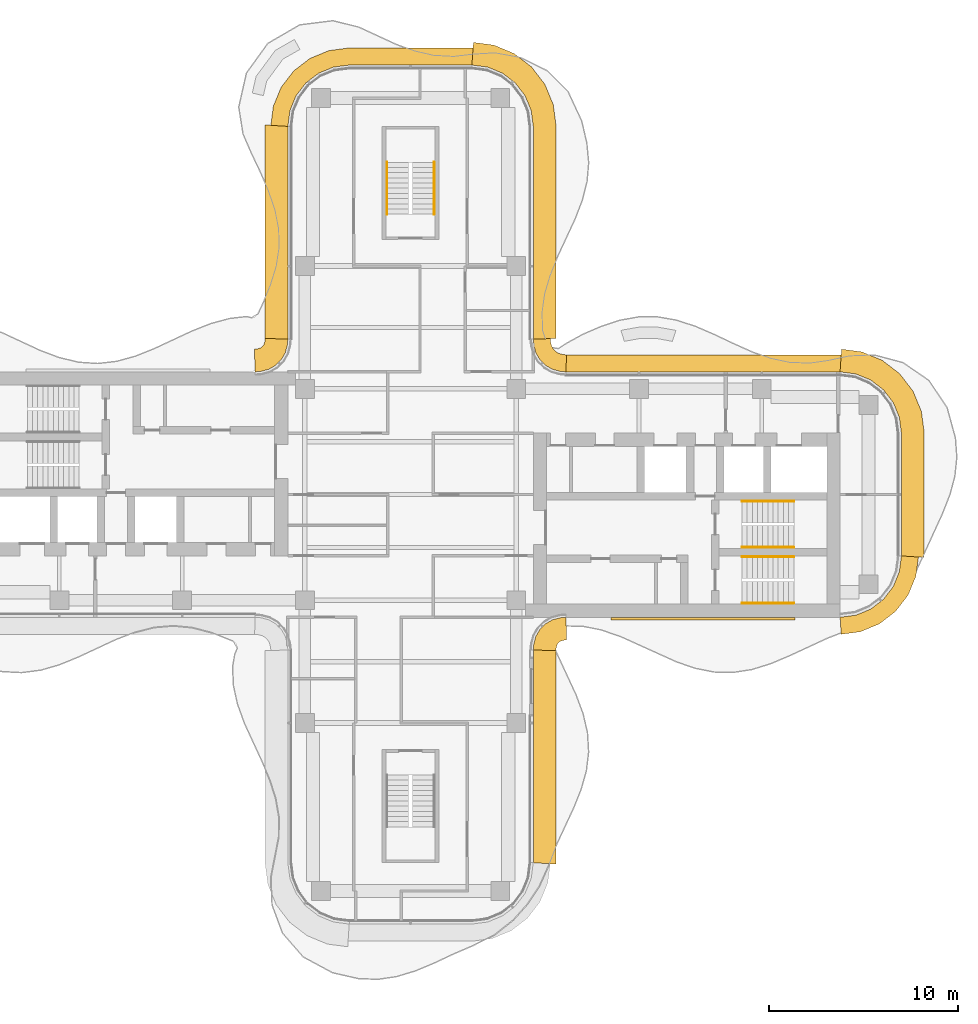
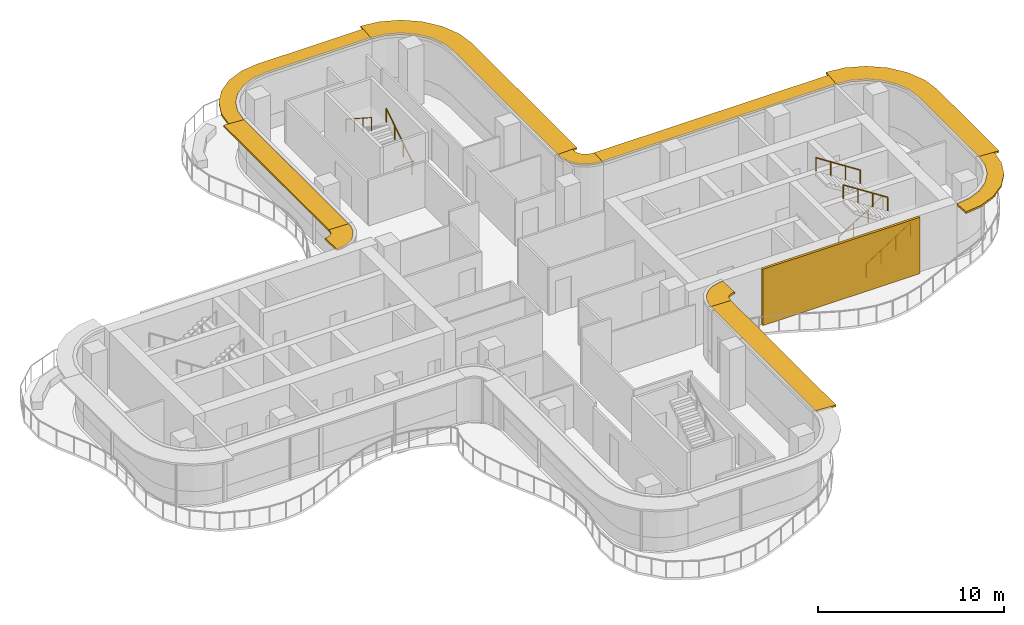
# One storey, part 17 of 17: 10 shading devices, 6 railings, 1 covering.
"""IFC4 building model written with IfcOpenShell, lengths in metres."""

from ifc_helpers import new_model, si_unit, direction, frame, origin, origin_2d, place, context, subcontext, project, spatial, polyline, circle, outline, extrude, source, transform, mapped, material, layer, layer_set, type_object, element, save


model = new_model("IFC4")

# Units and contexts
model_context = context("Model", 3, precision=1e-05, world=origin(), true_north=direction((0.0, 1.0)))
body_context = subcontext(model_context, "Body", "Model", "MODEL_VIEW")
ifc_project = project(units=[si_unit("LENGTHUNIT", "METRE"), si_unit("AREAUNIT", "SQUARE_METRE"), si_unit("VOLUMEUNIT", "CUBIC_METRE"), si_unit("PLANEANGLEUNIT", "RADIAN"), si_unit("MASSUNIT", "GRAM", prefix="KILO")], contexts=[model_context])

# Site, building, storey
site_placement = place(None, origin())
site = spatial("IfcSite", under=ifc_project, at=site_placement, CompositionType="ELEMENT")
building_placement = place(site_placement, origin())
building = spatial("IfcBuilding", under=site, at=building_placement, Name="Trellis Farm Tower", CompositionType="ELEMENT")
storey_placement = place(building_placement, frame((0.0, 0.0, 283.300048828125)))
storey = spatial("IfcBuildingStorey", under=building, at=storey_placement, Name="L63", CompositionType="ELEMENT", Elevation=283.300048828125)

# Railings
ifc_material_1 = material(Name="Stainless steel", Category="steel")
railing_type = type_object("IfcRailingType", Name="STAIR HANDRAIL 900", PredefinedType="HANDRAIL", material=ifc_material_1)
shared_shape_1 = source(origin(), body_context, "Body", "SweptSolid", [
    extrude(circle(Radius=0.02392578125, at=origin_2d()), frame((0.0, 0.0, 0.8759765625), z_axis=(0.0, 0.840503830235, 0.541805602924), x_axis=(-1.0, 0.0, 0.0)), (0.0, 0.0, 1.0), 3.271728515625),
    extrude(circle(Radius=0.02099609375, at=origin_2d()), origin(), (0.0, 0.0, 1.0), 0.851806640625),
    extrude(circle(Radius=0.02099609375, at=origin_2d()), frame((0.0, 0.916748046875, 0.5908203125)), (0.0, 0.0, 1.0), 0.851806640625),
    extrude(circle(Radius=0.02099609375, at=origin_2d()), frame((0.0, 1.833251953125, 1.181884765625)), (0.0, 0.0, 1.0), 0.851806640625),
    extrude(circle(Radius=0.02099609375, at=origin_2d()), frame((0.0, 2.75, 1.772705078125)), (0.0, 0.0, 1.0), 0.851806640625),
])
railing_1_placement = place(storey_placement, frame((1.25, 14.85009765625, 0.17724609375)))
element("IfcRailing", 1, at=railing_1_placement, inside=storey, type_object=railing_type, Name="Stair handrail", PredefinedType="HANDRAIL", context=body_context, shape_type="MappedRepresentation", body=[
    mapped(shared_shape_1, transform((0.0, 0.0, 0.0))),
])
shared_shape_2 = source(origin(), body_context, "Body", "SweptSolid", [
    extrude(circle(Radius=0.02392578125, at=origin_2d()), frame((0.0, 0.0, 0.8759765625), z_axis=(0.0, -0.840503830235, 0.541805602924), x_axis=(1.0, 0.0, 0.0)), (0.0, 0.0, 1.0), 3.271728515625),
    extrude(circle(Radius=0.02099609375, at=origin_2d()), origin(), (0.0, 0.0, 1.0), 0.851806640625),
    extrude(circle(Radius=0.02099609375, at=origin_2d()), frame((0.0, -0.916748046875, 0.5908203125)), (0.0, 0.0, 1.0), 0.851806640625),
    extrude(circle(Radius=0.02099609375, at=origin_2d()), frame((0.0, -1.833251953125, 1.181884765625)), (0.0, 0.0, 1.0), 0.851806640625),
    extrude(circle(Radius=0.02099609375, at=origin_2d()), frame((0.0, -2.75, 1.772705078125)), (0.0, 0.0, 1.0), 0.851806640625),
])
railing_2_placement = place(storey_placement, frame((-1.25, 17.60009765625, 2.127197265625)))
element("IfcRailing", 2, at=railing_2_placement, inside=storey, type_object=railing_type, Name="Stair handrail", PredefinedType="HANDRAIL", context=body_context, shape_type="MappedRepresentation", body=[
    mapped(shared_shape_2, transform((0.0, 0.0, 0.0))),
])
shared_shape_3 = source(origin(), body_context, "Body", "SweptSolid", [
    extrude(circle(Radius=0.02392578125, at=origin_2d()), frame((0.0, 0.0, 0.8759765625), z_axis=(0.840503830235, 0.0, 0.541805602924), x_axis=(0.0, 1.0, 0.0)), (0.0, 0.0, 1.0), 3.271728515625),
    extrude(circle(Radius=0.02099609375, at=origin_2d()), origin(), (0.0, 0.0, 1.0), 0.851806640625),
    extrude(circle(Radius=0.02099609375, at=origin_2d()), frame((0.916748046875, 0.0, 0.5908203125)), (0.0, 0.0, 1.0), 0.851806640625),
    extrude(circle(Radius=0.02099609375, at=origin_2d()), frame((1.833251953125, 0.0, 1.181884765625)), (0.0, 0.0, 1.0), 0.851806640625),
    extrude(circle(Radius=0.02099609375, at=origin_2d()), frame((2.75, 0.0, 1.772705078125)), (0.0, 0.0, 1.0), 0.851806640625),
])
for number, where, name in (
    (3, (17.550048828125, -5.75, 0.17724609375), "Stair handrail"),
    (4, (17.550048828125, -2.800048828125, 0.17724609375), "Stair handrail"),
):
    element("IfcRailing", number, at=place(storey_placement, frame(where)), inside=storey, type_object=railing_type, Name=name, PredefinedType="HANDRAIL", context=body_context, shape_type="MappedRepresentation", body=[
        mapped(shared_shape_3, transform((0.0, 0.0, 0.0))),
    ])
shared_shape_4 = source(origin(), body_context, "Body", "SweptSolid", [
    extrude(circle(Radius=0.02392578125, at=origin_2d()), frame((0.0, 0.0, 0.8759765625), z_axis=(-0.840503830235, 0.0, 0.541805602924), x_axis=(0.0, -1.0, 0.0)), (0.0, 0.0, 1.0), 3.271728515625),
    extrude(circle(Radius=0.02099609375, at=origin_2d()), origin(), (0.0, 0.0, 1.0), 0.851806640625),
    extrude(circle(Radius=0.02099609375, at=origin_2d()), frame((-0.916748046875, 0.0, 0.5908203125)), (0.0, 0.0, 1.0), 0.851806640625),
    extrude(circle(Radius=0.02099609375, at=origin_2d()), frame((-1.833251953125, 0.0, 1.181884765625)), (0.0, 0.0, 1.0), 0.851806640625),
    extrude(circle(Radius=0.02099609375, at=origin_2d()), frame((-2.75, 0.0, 1.772705078125)), (0.0, 0.0, 1.0), 0.851806640625),
])
for number, where, name in (
    (5, (20.300048828125, -3.300048828125, 2.127197265625), "Stair handrail"),
    (6, (20.300048828125, -0.35009765625, 2.127197265625), "Stair handrail"),
):
    element("IfcRailing", number, at=place(storey_placement, frame(where)), inside=storey, type_object=railing_type, Name=name, PredefinedType="HANDRAIL", context=body_context, shape_type="MappedRepresentation", body=[
        mapped(shared_shape_4, transform((0.0, 0.0, 0.0))),
    ])

# Shading devices
ifc_material_2 = material(Name="Aluminium extrusion 6063-T6", Category="aluminium")
ifc_layer_1 = layer(ifc_material_2, 0.1201171875)
ifc_layer_set_1 = layer_set([ifc_layer_1], Name="SUNSHADE BLADE 1200")
shading_device_type_1 = type_object("IfcShadingDeviceType", Name="SUNSHADE BLADE 1200", PredefinedType="USERDEFINED", material=ifc_layer_set_1)
shared_shape_5 = source(origin(), body_context, "Body", "SweptSolid", [
    extrude(outline(polyline([(7.699951171875, -8.270751953125), (7.708740234375, -8.13720703125), (7.70703125, -8.150146484375), (7.7548828125, -7.9716796875), (7.80712890625, -7.881103515625), (7.881103515625, -7.80712890625), (7.9716796875, -7.7548828125), (8.150146484375, -7.70703125), (8.13720703125, -7.708740234375), (8.270751953125, -7.699951171875), (8.2314453125, -6.5), (8.01953125, -6.513916015625), (7.91552734375, -6.527587890625), (7.508544921875, -6.63671875), (7.144287109375, -6.846923828125), (6.846923828125, -7.144287109375), (6.63671875, -7.508544921875), (6.527587890625, -7.91552734375), (6.513916015625, -8.01953125), (6.5, -8.2314453125), (7.699951171875, -8.270751953125)])), origin(), (0.0, 0.0, 1.0), 0.119873046875),
])
placement = place(storey_placement, frame((0.0, 0.0, 3.5400390625)))
element("IfcShadingDevice", 7, at=placement, inside=storey, type_object=shading_device_type_1, Name="SD2 006", ObjectType="SUNSHADE", PredefinedType="USERDEFINED", context=body_context, shape_type="MappedRepresentation", body=[
    mapped(shared_shape_5, transform((0.0, 0.0, 0.0))),
])
ifc_layer_2 = layer(ifc_material_2, 0.1201171875)
ifc_layer_set_2 = layer_set([ifc_layer_2], Name="SUNSHADE BLADE 900")
shading_device_type_2 = type_object("IfcShadingDeviceType", Name="SUNSHADE BLADE 900", PredefinedType="USERDEFINED", material=ifc_layer_set_2)
shared_shape_6 = source(origin(), body_context, "Body", "SweptSolid", [
    extrude(outline(polyline([(8.2607421875, 7.39990234375), (8.107666015625, 7.409912109375), (8.091552734375, 7.412109375), (7.85595703125, 7.475341796875), (7.697021484375, 7.567138671875), (7.567138671875, 7.697021484375), (7.475341796875, 7.85595703125), (7.412109375, 8.091552734375), (7.409912109375, 8.107666015625), (7.39990234375, 8.2607421875), (6.5, 8.2314453125), (6.513916015625, 8.01953125), (6.527587890625, 7.91552734375), (6.63671875, 7.508544921875), (6.846923828125, 7.144287109375), (7.144287109375, 6.846923828125), (7.508544921875, 6.63671875), (7.91552734375, 6.527587890625), (8.01953125, 6.513916015625), (8.2314453125, 6.5), (8.2607421875, 7.39990234375)])), origin(), (0.0, 0.0, 1.0), 0.119873046875),
])
element("IfcShadingDevice", 8, at=placement, inside=storey, type_object=shading_device_type_2, Name="SD1 010", ObjectType="SUNSHADE", PredefinedType="USERDEFINED", context=body_context, shape_type="MappedRepresentation", body=[
    mapped(shared_shape_6, transform((0.0, 0.0, 0.0))),
])
shared_shape_7 = source(origin(), body_context, "Body", "SweptSolid", [
    extrude(outline(polyline([(-7.699951171875, 8.270751953125), (-7.708740234375, 8.13720703125), (-7.70703125, 8.150146484375), (-7.7548828125, 7.9716796875), (-7.80712890625, 7.881103515625), (-7.881103515625, 7.80712890625), (-7.9716796875, 7.7548828125), (-8.150146484375, 7.70703125), (-8.13720703125, 7.708740234375), (-8.270751953125, 7.699951171875), (-8.2314453125, 6.5), (-8.01953125, 6.513916015625), (-7.91552734375, 6.527587890625), (-7.508544921875, 6.63671875), (-7.144287109375, 6.846923828125), (-6.846923828125, 7.144287109375), (-6.63671875, 7.508544921875), (-6.527587890625, 7.91552734375), (-6.513916015625, 8.01953125), (-6.5, 8.2314453125), (-7.699951171875, 8.270751953125)])), origin(), (0.0, 0.0, 1.0), 0.119873046875),
])
element("IfcShadingDevice", 9, at=placement, inside=storey, type_object=shading_device_type_1, Name="SD2 014", ObjectType="SUNSHADE", PredefinedType="USERDEFINED", context=body_context, shape_type="MappedRepresentation", body=[
    mapped(shared_shape_7, transform((0.0, 0.0, 0.0))),
])
shared_shape_8 = source(origin(), body_context, "Body", "SweptSolid", [
    extrude(outline(polyline([(7.699951171875, 8.270751953125), (7.699951171875, 19.57861328125), (7.558349609375, 20.654541015625), (7.11279296875, 21.730224609375), (6.404052734375, 22.654052734375), (5.480224609375, 23.36279296875), (4.404541015625, 23.808349609375), (3.32861328125, 23.949951171875), (3.25, 22.75), (4.091064453125, 22.63916015625), (4.875, 22.314697265625), (5.548095703125, 21.798095703125), (6.064697265625, 21.125), (6.38916015625, 20.341064453125), (6.5, 19.5), (6.5, 8.2314453125), (7.699951171875, 8.270751953125)])), origin(), (0.0, 0.0, 1.0), 0.119873046875),
])
element("IfcShadingDevice", 10, at=placement, inside=storey, type_object=shading_device_type_1, Name="SD2 011", ObjectType="SUNSHADE", PredefinedType="USERDEFINED", context=body_context, shape_type="MappedRepresentation", body=[
    mapped(shared_shape_8, transform((0.0, 0.0, 0.0))),
])
shared_shape_9 = source(origin(), body_context, "Body", "SweptSolid", [
    extrude(outline(polyline([(3.30908203125, 23.64990234375), (-3.30908203125, 23.64990234375), (-4.326171875, 23.51611328125), (-5.328857421875, 23.100830078125), (-6.18994140625, 22.43994140625), (-6.850830078125, 21.578857421875), (-7.26611328125, 20.576171875), (-7.39990234375, 19.55908203125), (-6.5, 19.5), (-6.38916015625, 20.341064453125), (-6.064697265625, 21.125), (-5.548095703125, 21.798095703125), (-4.875, 22.314697265625), (-4.091064453125, 22.63916015625), (-3.25, 22.75), (3.25, 22.75), (3.30908203125, 23.64990234375)])), origin(), (0.0, 0.0, 1.0), 0.119873046875),
])
element("IfcShadingDevice", 11, at=placement, inside=storey, type_object=shading_device_type_2, Name="SD1 012", ObjectType="SUNSHADE", PredefinedType="USERDEFINED", context=body_context, shape_type="MappedRepresentation", body=[
    mapped(shared_shape_9, transform((0.0, 0.0, 0.0))),
])
shared_shape_10 = source(origin(), body_context, "Body", "SweptSolid", [
    extrude(outline(polyline([(-7.699951171875, 19.57861328125), (-7.699951171875, 8.270751953125), (-6.5, 8.2314453125), (-6.5, 19.5), (-7.699951171875, 19.57861328125)])), origin(), (0.0, 0.0, 1.0), 0.119873046875),
])
element("IfcShadingDevice", 12, at=placement, inside=storey, type_object=shading_device_type_1, Name="SD2 013", ObjectType="SUNSHADE", PredefinedType="USERDEFINED", context=body_context, shape_type="MappedRepresentation", body=[
    mapped(shared_shape_10, transform((0.0, 0.0, 0.0))),
])

# Covering
ifc_material_3 = material(Name="Perforated precast screen (cobogo)", Category="concrete")
ifc_layer_3 = layer(ifc_material_3, 0.14990234375)
ifc_layer_set_3 = layer_set([ifc_layer_3], Name="COBOGO SCREEN PANEL")
covering_type = type_object("IfcCoveringType", Name="COBOGO SCREEN PANEL", PredefinedType="USERDEFINED", material=ifc_layer_set_3)
shared_shape_11 = source(origin(), body_context, "Body", "SweptSolid", [
    extrude(outline(polyline([(10.61572265625, -6.64990234375), (20.36572265625, -6.64990234375), (20.36572265625, -6.5), (10.61572265625, -6.5), (10.61572265625, -6.64990234375)])), origin(), (0.0, 0.0, 1.0), 3.699951171875),
])
covering_placement = place(storey_placement, origin())
element("IfcCovering", 13, at=covering_placement, inside=storey, type_object=covering_type, Name="SC1 01", ObjectType="SCREEN", PredefinedType="USERDEFINED", context=body_context, shape_type="MappedRepresentation", body=[
    mapped(shared_shape_11, transform((0.0, 0.0, 0.0))),
])

# Shading devices
shared_shape_12 = source(origin(), body_context, "Body", "SweptSolid", [
    extrude(outline(polyline([(22.80908203125, -7.39990234375), (23.826171875, -7.26611328125), (24.828857421875, -6.850830078125), (25.68994140625, -6.18994140625), (26.350830078125, -5.328857421875), (26.76611328125, -4.326171875), (26.89990234375, -3.30908203125), (26.0, -3.25), (25.88916015625, -4.091064453125), (25.564697265625, -4.875), (25.048095703125, -5.548095703125), (24.375, -6.064697265625), (23.591064453125, -6.38916015625), (22.75, -6.5), (22.80908203125, -7.39990234375)])), origin(), (0.0, 0.0, 1.0), 0.119873046875),
])
element("IfcShadingDevice", 14, at=placement, inside=storey, type_object=shading_device_type_2, Name="SD1 007", ObjectType="SUNSHADE", PredefinedType="USERDEFINED", context=body_context, shape_type="MappedRepresentation", body=[
    mapped(shared_shape_12, transform((0.0, 0.0, 0.0))),
])
shared_shape_13 = source(origin(), body_context, "Body", "SweptSolid", [
    extrude(outline(polyline([(27.199951171875, -3.32861328125), (27.199951171875, 3.32861328125), (27.058349609375, 4.404541015625), (26.61279296875, 5.480224609375), (25.904052734375, 6.404052734375), (24.980224609375, 7.11279296875), (23.904541015625, 7.558349609375), (22.82861328125, 7.699951171875), (22.75, 6.5), (23.591064453125, 6.38916015625), (24.375, 6.064697265625), (25.048095703125, 5.548095703125), (25.564697265625, 4.875), (25.88916015625, 4.091064453125), (26.0, 3.25), (26.0, -3.25), (27.199951171875, -3.32861328125)])), origin(), (0.0, 0.0, 1.0), 0.119873046875),
])
element("IfcShadingDevice", 15, at=placement, inside=storey, type_object=shading_device_type_1, Name="SD2 008", ObjectType="SUNSHADE", PredefinedType="USERDEFINED", context=body_context, shape_type="MappedRepresentation", body=[
    mapped(shared_shape_13, transform((0.0, 0.0, 0.0))),
])
shared_shape_14 = source(origin(), body_context, "Body", "SweptSolid", [
    extrude(outline(polyline([(22.80908203125, 7.39990234375), (8.2607421875, 7.39990234375), (8.2314453125, 6.5), (22.75, 6.5), (22.80908203125, 7.39990234375)])), origin(), (0.0, 0.0, 1.0), 0.119873046875),
])
element("IfcShadingDevice", 16, at=placement, inside=storey, type_object=shading_device_type_2, Name="SD1 009", ObjectType="SUNSHADE", PredefinedType="USERDEFINED", context=body_context, shape_type="MappedRepresentation", body=[
    mapped(shared_shape_14, transform((0.0, 0.0, 0.0))),
])
shared_shape_15 = source(origin(), body_context, "Body", "SweptSolid", [
    extrude(outline(polyline([(7.699951171875, -19.57861328125), (7.699951171875, -8.270751953125), (6.5, -8.2314453125), (6.5, -19.5), (7.699951171875, -19.57861328125)])), origin(), (0.0, 0.0, 1.0), 0.119873046875),
])
element("IfcShadingDevice", 17, at=placement, inside=storey, type_object=shading_device_type_1, Name="SD2 005", ObjectType="SUNSHADE", PredefinedType="USERDEFINED", context=body_context, shape_type="MappedRepresentation", body=[
    mapped(shared_shape_15, transform((0.0, 0.0, 0.0))),
])

save(model, "model.ifc")
